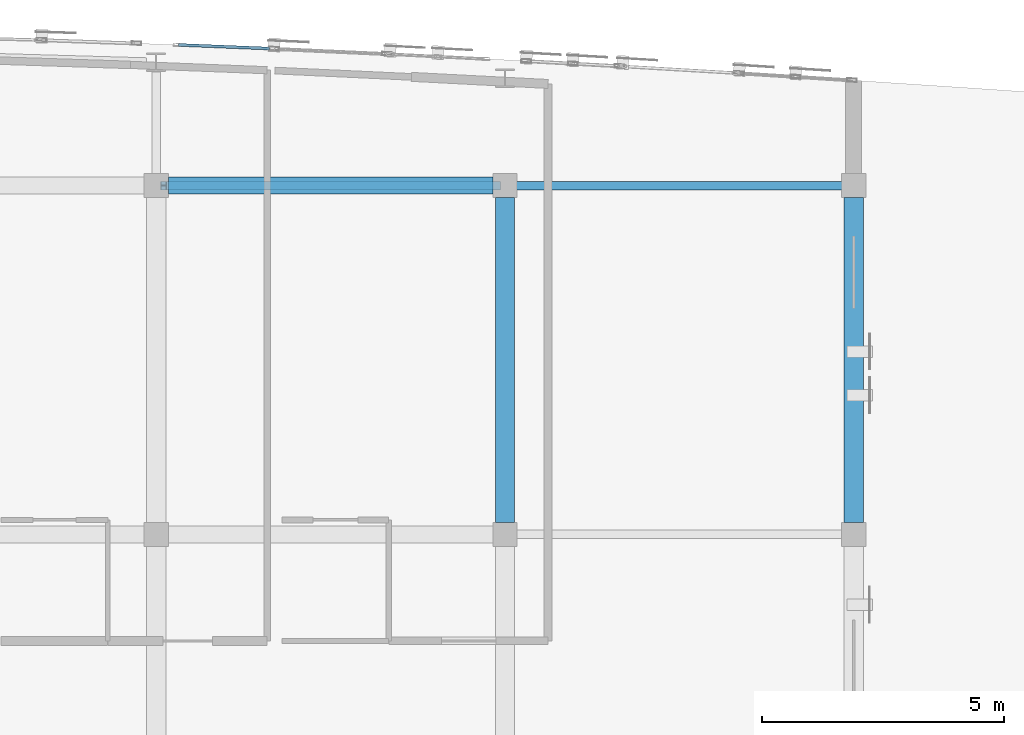
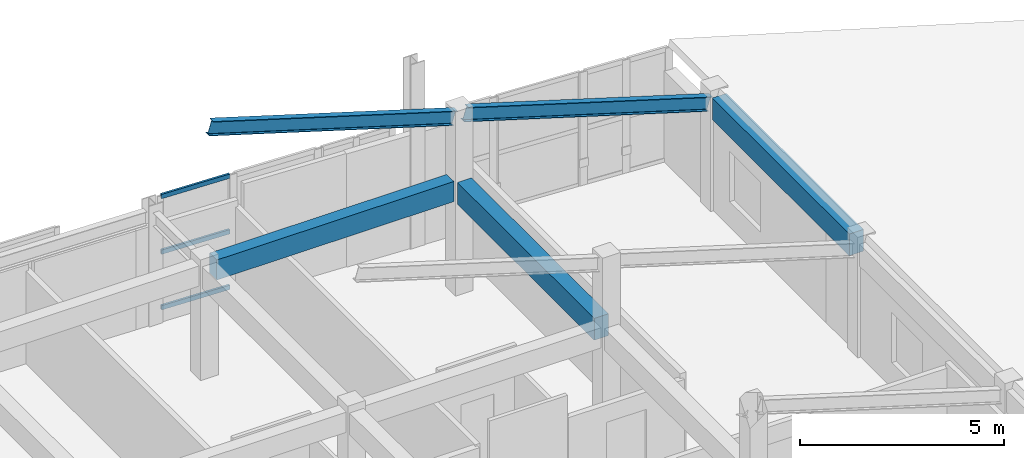
# One storey, part 19 of 34: 5 beams, 3 members, 1 element without a shape of its own.
"""IFC4 building model written with IfcOpenShell, lengths in metres."""

from ifc_helpers import new_model, si_unit, direction, frame, origin, origin_2d, place, context, subcontext, project, spatial, rectangle, hollow_rectangle, i_section, extrude, material, layer, layer_set, material_profile, profile_set, type_object, element, aggregate, save


model = new_model("IFC4")

# Units and contexts
model_context = context("Model", 3, precision=1e-05, world=origin(), true_north=direction((0.0, 1.0)))
body_context = subcontext(model_context, "Body", "Model", "MODEL_VIEW")
ifc_project = project(units=[si_unit("LENGTHUNIT", "METRE"), si_unit("AREAUNIT", "SQUARE_METRE"), si_unit("VOLUMEUNIT", "CUBIC_METRE"), si_unit("PLANEANGLEUNIT", "RADIAN"), si_unit("MASSUNIT", "GRAM", prefix="KILO")], contexts=[model_context])

# Site, building, storey
site_placement = place(None, origin())
site = spatial("IfcSite", under=ifc_project, at=site_placement, CompositionType="ELEMENT")
building_placement = place(site_placement, origin())
building = spatial("IfcBuilding", under=site, at=building_placement, Name="Carrowvane Square Congress Hotel", CompositionType="ELEMENT")
storey_placement = place(building_placement, frame((0.0, 0.0, 40.800048828125)))
storey = spatial("IfcBuildingStorey", under=building, at=storey_placement, Name="L10", CompositionType="ELEMENT", Elevation=40.800048828125)

# Beams
ifc_material_1 = material(Name="Concrete C35/45", Category="concrete")
ifc_material_profile_1 = material_profile(ifc_material_1, rectangle(XDim=0.35009765625, YDim=0.60009765625, at=origin_2d()), Name="RC 350x600")
ifc_profile_set_1 = profile_set([ifc_material_profile_1], Name="Concrete C35/45")
beam_type_1 = type_object("IfcBeamType", Name="BM-RC-350x600", PredefinedType="BEAM", material=ifc_profile_set_1)
beam_placement = place(storey_placement, frame((112.64990234375, 113.39990234375, 3.079833984375), z_axis=(1.0, 0.0, 0.0), x_axis=(0.0, 1.0, 0.0)))
element("IfcBeam", 1, at=beam_placement, inside=storey, type_object=beam_type_1, Name="L11 girder R/15-16", PredefinedType="BEAM", context=body_context, shape_type="SweptSolid", body=[
    extrude(rectangle(XDim=0.35009765625, YDim=0.60009765625, at=origin_2d()), origin(), (0.0, 0.0, 1.0), 6.7001953125),
])
ifc_material_2 = material(Name="Concrete C35/45", Category="concrete")
ifc_material_profile_2 = material_profile(ifc_material_2, rectangle(XDim=0.39990234375, YDim=0.64990234375, at=origin_2d()), Name="RC 400x650")
ifc_profile_set_2 = profile_set([ifc_material_profile_2], Name="Concrete C35/45")
beam_type_2 = type_object("IfcBeamType", Name="BM-RC-400x650", PredefinedType="BEAM", material=ifc_profile_set_2)
for number, where, z_axis, x_axis, name in (
    (2, (119.60009765625, 106.449951171875, 3.054931640625), (0.0, 1.0, 0.0), (-1.0, 0.0, 0.0), "L11 girder 16/Q-R"),
    (3, (126.800048828125, 106.449951171875, 3.054931640625), (0.0, 1.0, 0.0), (-1.0, 0.0, 0.0), "L11 girder 17/Q-R"),
):
    element("IfcBeam", number, at=place(storey_placement, frame(where, z_axis=z_axis, x_axis=x_axis)), inside=storey, type_object=beam_type_2, Name=name, PredefinedType="BEAM", context=body_context, shape_type="SweptSolid", body=[
        extrude(rectangle(XDim=0.39990234375, YDim=0.64990234375, at=origin_2d()), origin(), (0.0, 0.0, 1.0), 6.699951171875),
    ])
ifc_material_3 = material(Name="Steel S355", Category="steel")
ifc_material_profile_3 = material_profile(ifc_material_3, i_section(OverallWidth=0.1787109375, OverallDepth=0.409423828125, WebThickness=0.0087890625, FlangeThickness=0.014404296875, FilletRadius=0.01025390625, at=origin_2d()), Name="UKB 406x178x67")
ifc_profile_set_3 = profile_set([ifc_material_profile_3], Name="Steel S355")
beam_type_3 = type_object("IfcBeamType", Name="BM-ST-UKB406", PredefinedType="BEAM", material=ifc_profile_set_3)
for number, where, z_axis, x_axis, name in (
    (4, (112.550048828125, 113.39990234375, 7.280029296875), (0.956668960914, 0.0, -0.291177779413), (0.0, 1.0, 0.0), "L10 shallow-arc roof rafter 12"),
    (5, (119.75, 113.39990234375, 5.179931640625), (0.956668960914, 0.0, -0.291177779413), (0.0, 1.0, 0.0), "L10 shallow-arc roof rafter 16"),
):
    element("IfcBeam", number, at=place(storey_placement, frame(where, z_axis=z_axis, x_axis=x_axis)), inside=storey, type_object=beam_type_3, Name=name, PredefinedType="BEAM", context=body_context, shape_type="SweptSolid", body=[
        extrude(i_section(OverallWidth=0.1787109375, OverallDepth=0.409423828125, WebThickness=0.0087890625, FlangeThickness=0.014404296875, FilletRadius=0.01025390625, at=origin_2d()), origin(), (0.0, 0.0, 1.0), 7.21240234375),
    ])

# Curtain wall, members
ifc_material_4 = material(Name="Anodised aluminium", Category="aluminium")
ifc_layer = layer(ifc_material_4, 0.2099609375)
ifc_layer_set = layer_set([ifc_layer], Name="Anodised aluminium")
curtain_wall_type = type_object("IfcCurtainWallType", Name="CW-SYS-5", PredefinedType="NOTDEFINED", material=ifc_layer_set)
curtain_wall_placement = place(storey_placement, origin())
curtain_wall = element("IfcCurtainWall", 6, at=curtain_wall_placement, inside=storey, type_object=curtain_wall_type, Name="L10 unitised curtain wall 580", PredefinedType="NOTDEFINED")
ifc_material_5 = material(Name="Anodised aluminium", Category="aluminium")
ifc_material_profile_4 = material_profile(ifc_material_5, hollow_rectangle(XDim=0.06005859375, YDim=0.1298828125, WallThickness=0.00390625, at=origin_2d()), Name="CW-TR 60x130x4")
ifc_profile_set_4 = profile_set([ifc_material_profile_4], Name="Anodised aluminium")
member_type = type_object("IfcMemberType", Name="CW-TRN-1", PredefinedType="USERDEFINED", material=ifc_profile_set_4)
member_1_placement = place(storey_placement, frame((112.85888671875, 116.3056640625, 0.030029296875), z_axis=(0.999191609431, -0.040201090061, 0.0), x_axis=(0.040201090061, 0.999191609431, 0.0)))
member_1 = element("IfcMember", 7, at=member_1_placement, type_object=member_type, Name="CW-5 transom 1.1", ObjectType="TRANSOM", PredefinedType="USERDEFINED", context=body_context, shape_type="SweptSolid", body=[
    extrude(hollow_rectangle(XDim=0.06005859375, YDim=0.1298828125, WallThickness=0.00390625, at=origin_2d()), origin(), (0.0, 0.0, 1.0), 1.882568359375),
])
member_2_placement = place(storey_placement, frame((112.85888671875, 116.3056640625, 1.68994140625), z_axis=(0.999191609431, -0.040201090061, 0.0), x_axis=(0.040201090061, 0.999191609431, 0.0)))
member_2 = element("IfcMember", 8, at=member_2_placement, type_object=member_type, Name="CW-5 transom 1.2", ObjectType="TRANSOM", PredefinedType="USERDEFINED", context=body_context, shape_type="SweptSolid", body=[
    extrude(hollow_rectangle(XDim=0.06005859375, YDim=0.1298828125, WallThickness=0.00390625, at=origin_2d()), origin(), (0.0, 0.0, 1.0), 1.882568359375),
])
member_3_placement = place(storey_placement, frame((112.85888671875, 116.3056640625, 3.349853515625), z_axis=(0.999191609431, -0.040201090061, 0.0), x_axis=(0.040201090061, 0.999191609431, 0.0)))
member_3 = element("IfcMember", 9, at=member_3_placement, type_object=member_type, Name="CW-5 transom 1.3", ObjectType="TRANSOM", PredefinedType="USERDEFINED", context=body_context, shape_type="SweptSolid", body=[
    extrude(hollow_rectangle(XDim=0.06005859375, YDim=0.1298828125, WallThickness=0.00390625, at=origin_2d()), origin(), (0.0, 0.0, 1.0), 1.882568359375),
])
aggregate(curtain_wall, [member_1, member_2, member_3])

save(model, "model.ifc")
